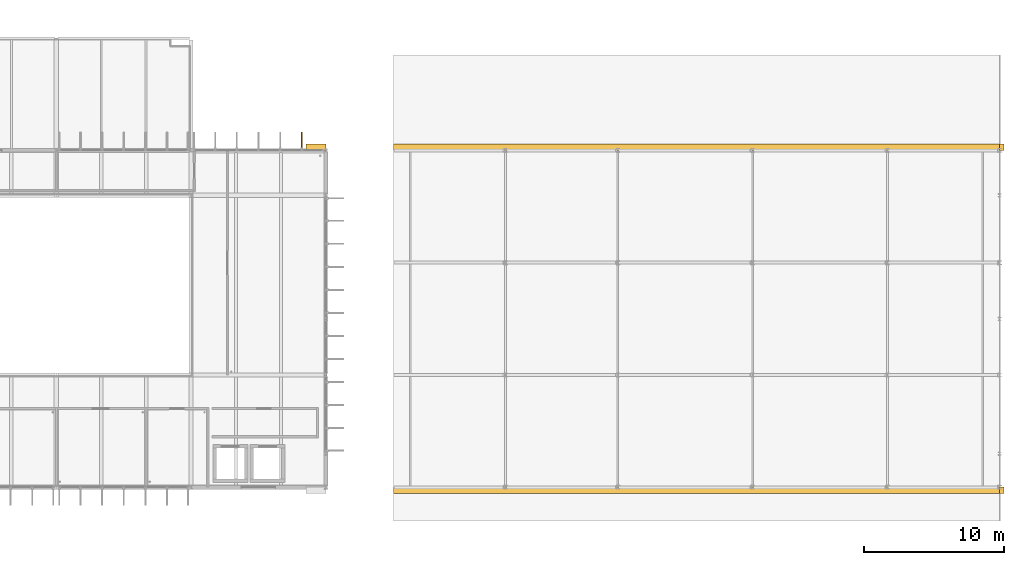
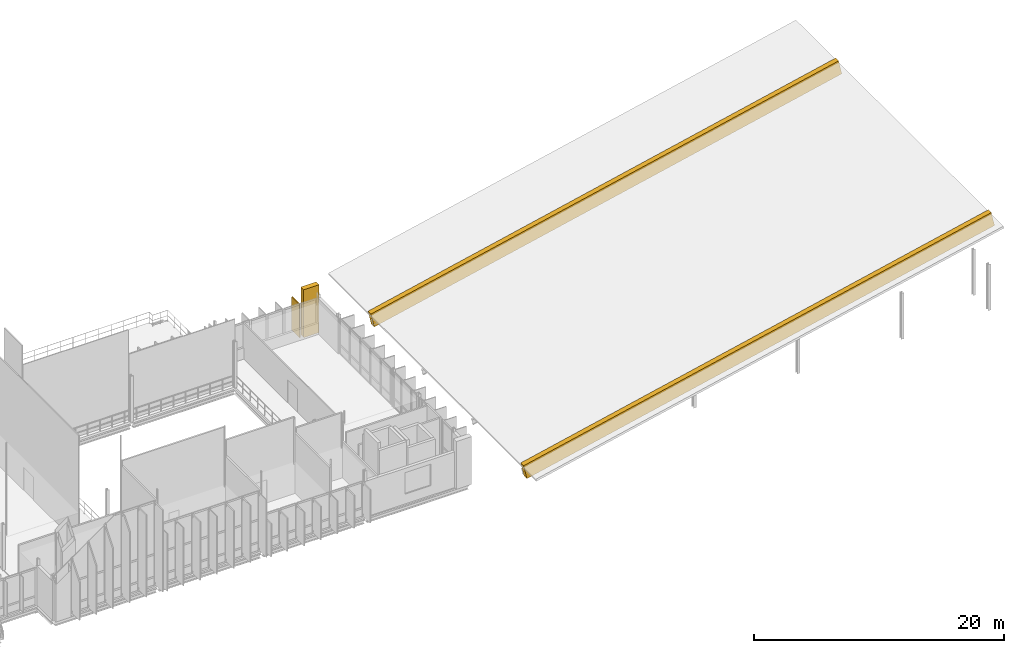
# One storey, part 41 of 41: 4 coverings.
"""IFC4 building model written with IfcOpenShell, lengths in metres."""

from ifc_helpers import new_model, si_unit, direction, frame, origin, origin_2d, place, context, subcontext, project, spatial, polyline, rectangle, outline, extrude, material, layer, layer_set, type_object, element, save


model = new_model("IFC4")

# Units and contexts
model_context = context("Model", 3, precision=1e-05, world=origin(), true_north=direction((0.0, 1.0)))
body_context = subcontext(model_context, "Body", "Model", "MODEL_VIEW")
ifc_project = project(units=[si_unit("LENGTHUNIT", "METRE"), si_unit("AREAUNIT", "SQUARE_METRE"), si_unit("VOLUMEUNIT", "CUBIC_METRE"), si_unit("PLANEANGLEUNIT", "RADIAN"), si_unit("MASSUNIT", "GRAM", prefix="KILO")], contexts=[model_context])

# Site, building, storey
site_placement = place(None, origin())
site = spatial("IfcSite", under=ifc_project, at=site_placement, CompositionType="ELEMENT")
building_placement = place(site_placement, origin())
building = spatial("IfcBuilding", under=site, at=building_placement, Name="Dunescarp Central Library", CompositionType="ELEMENT")
storey_placement = place(building_placement, frame((0.0, 0.0, 23.10009765625)))
storey = spatial("IfcBuildingStorey", under=building, at=storey_placement, Name="L05", CompositionType="ELEMENT", Elevation=23.10009765625)

# Coverings
ifc_material = material(Name="Glass-fibre reinforced concrete GRC", Category="concrete")
ifc_layer_1 = layer(ifc_material, 0.090087890625)
ifc_layer_set_1 = layer_set([ifc_layer_1], Name="Glass-fibre reinforced concrete GRC")
covering_type_1 = type_object("IfcCoveringType", Name="ARC-COV-FIN1250", PredefinedType="CLADDING", material=ifc_layer_set_1)
covering_1_placement = place(storey_placement, frame((75.0830078125, 29.4619140625, 0.080322265625), z_axis=(0.0, 0.0, 1.0), x_axis=(0.0, 1.0, 0.0)))
element("IfcCovering", 1, at=covering_1_placement, inside=storey, type_object=covering_type_1, Name="L05 parametric vertical facade fin FIN-L05-0548", PredefinedType="CLADDING", context=body_context, shape_type="SweptSolid", body=[
    extrude(rectangle(XDim=1.25, YDim=0.090087890625, at=origin_2d()), origin(), (0.0, 0.0, 1.0), 3.2451171875),
])
ifc_layer_2 = layer(ifc_material, 0.449951171875)
ifc_layer_set_2 = layer_set([ifc_layer_2], Name="Glass-fibre reinforced concrete GRC")
covering_type_2 = type_object("IfcCoveringType", Name="ARC-COV-PORTAL", PredefinedType="CLADDING", material=ifc_layer_set_2)
covering_2_placement = place(storey_placement, frame((76.10009765625, 29.02001953125, 0.00048828125), z_axis=(0.0, 0.0, 1.0), x_axis=(1.0, 0.0, 0.0)))
element("IfcCovering", 2, at=covering_2_placement, inside=storey, type_object=covering_type_2, Name="V2 sculpted GRC portal pier PRT-BAND-V2-024", PredefinedType="CLADDING", context=body_context, shape_type="SweptSolid", body=[
    extrude(rectangle(XDim=1.39990234375, YDim=0.449951171875, at=origin_2d()), origin(), (0.0, 0.0, 1.0), 4.675048828125),
])
for number, where, z_axis, x_axis, name in (
    (3, (81.60009765625, 4.35009765625, 0.139892578125), (-0.216932794358, 0.0, 0.97618654095), (0.97618654095, 0.0, 0.216932794358), "V3 sculpted GRC raking portal band PRT-BAND-V3-047"),
    (4, (81.60009765625, 28.780029296875, 0.139892578125), (-0.216932794358, 0.0, 0.97618654095), (0.97618654095, 0.0, 0.216932794358), "V3 sculpted GRC raking portal band PRT-BAND-V3-048"),
):
    element("IfcCovering", number, at=place(storey_placement, frame(where, z_axis=z_axis, x_axis=x_axis)), inside=storey, type_object=covering_type_2, Name=name, PredefinedType="CLADDING", context=body_context, shape_type="SweptSolid", body=[
        extrude(outline(polyline([(0.0, 0.0), (44.25378691436385, 0.0), (44.25378691436385, 0.469970703125), (0.0, 0.469970703125), (0.0, 0.0)])), origin(), (0.0, 0.0, -1.0), 1.39990234375),
    ])

save(model, "model.ifc")
